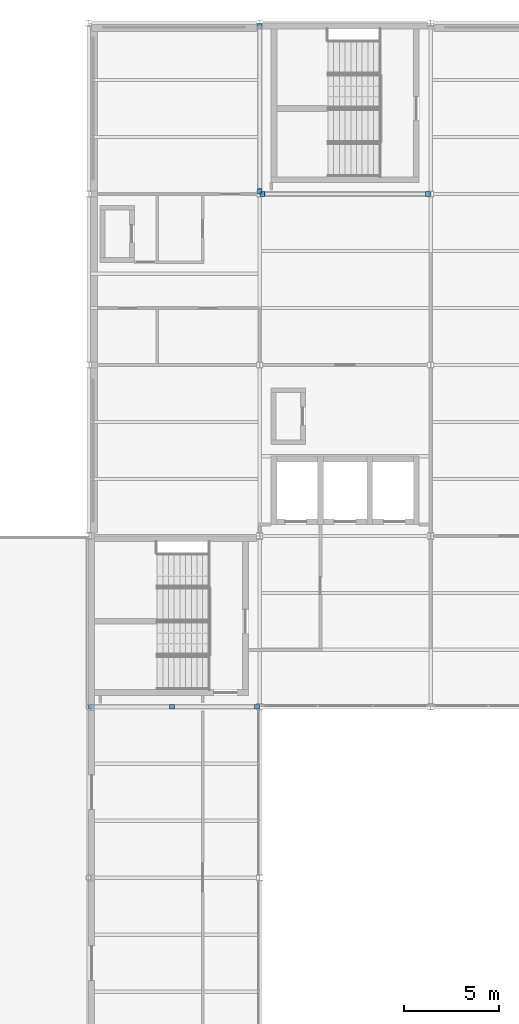
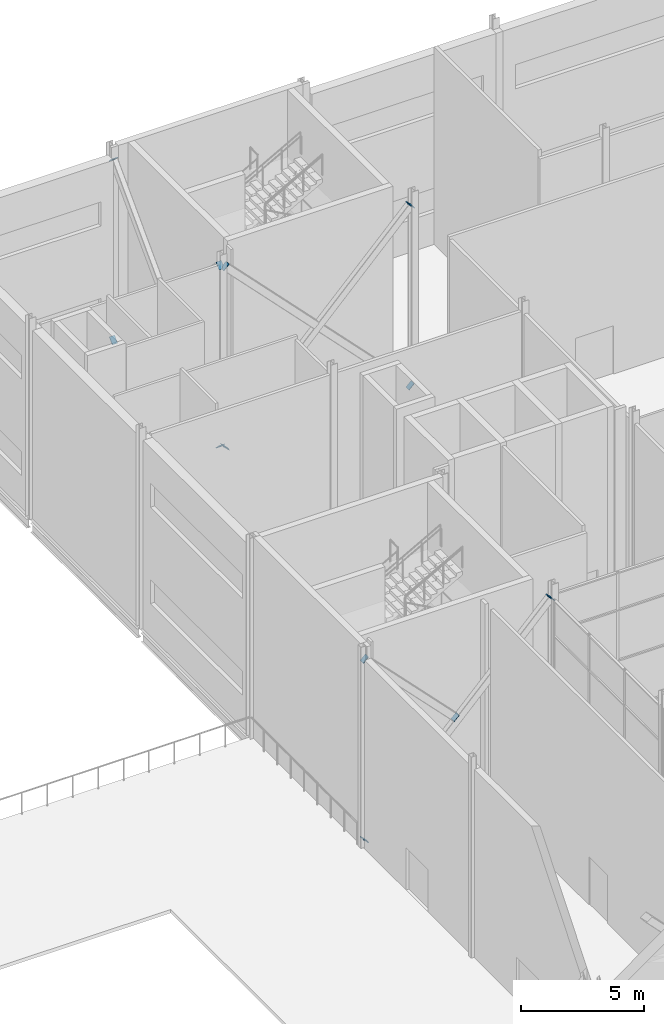
# One storey, part 102 of 111: 12 discrete accessories.
"""IFC4 building model written with IfcOpenShell, lengths in metres."""

import ifcopenshell
import ifcopenshell.guid

model = None  # the IFC model being written
_history = None  # IfcOwnerHistory: only IFC2X3 demands one
_inside = {}  # id of a spatial element -> (the spatial element, [elements in it])
_under = {}  # id of a project, library or spatial element -> (it, [spatial elements below it])
_declared = {}  # id of a project -> (the project, [libraries it declares])
_typed = {}  # id of a type object -> (the type object, [elements of that type])
_made_of = {}  # id of a material, layer set ... -> (it, [elements and type objects made of it])


def new_model(schema):
    """Start an empty IFC model of exactly this schema.

    Asked for "IFC4X3", IfcOpenShell would pick the latest addendum, in which some entities
    have other attributes; the version numbers below select the first issue.
    IFC2X3 requires an IfcOwnerHistory on every rooted entity: one is made here for all.
    """
    global model, _history
    if schema == "IFC4X3":
        model = ifcopenshell.file(schema_version=(4, 3, 0, 0))
    else:
        model = ifcopenshell.file(schema=schema)
    _inside.clear()
    _under.clear()
    _declared.clear()
    _typed.clear()
    _made_of.clear()
    _history = None
    if model.schema == "IFC2X3":
        org = make("IfcOrganization", Name="unknown")
        user = make(
            "IfcPersonAndOrganization",
            ThePerson=make("IfcPerson", FamilyName="unknown"),
            TheOrganization=org,
        )
        app = make(
            "IfcApplication",
            ApplicationDeveloper=org,
            Version="unknown",
            ApplicationFullName="unknown",
            ApplicationIdentifier="unknown",
        )
        _history = make(
            "IfcOwnerHistory",
            OwningUser=user,
            OwningApplication=app,
            ChangeAction="ADDED",
            CreationDate=0,
        )
    return model


def make(cls, **values):
    """One entity of the class cls with the attributes given. An attribute that is None is left unset."""
    return model.create_entity(
        cls, **{name: value for name, value in values.items() if value is not None}
    )


def rooted(cls, **values):
    """An entity with a GlobalId (a new one), such as an element, a storey or a relation."""
    return make(cls, GlobalId=ifcopenshell.guid.new(), OwnerHistory=_history, **values)


def si_unit(unit_type, name, prefix=None):
    """IfcSIUnit, for example si_unit("LENGTHUNIT", "METRE", prefix="MILLI")."""
    return make("IfcSIUnit", UnitType=unit_type, Prefix=prefix, Name=name)


def assignment(units):
    """IfcUnitAssignment: the units of a project."""
    return None if units is None else make("IfcUnitAssignment", Units=units)


def point(xyz):
    """IfcCartesianPoint."""
    return None if xyz is None else make("IfcCartesianPoint", Coordinates=xyz)


def direction(xyz):
    """IfcDirection."""
    return None if xyz is None else make("IfcDirection", DirectionRatios=xyz)


def frame(location, z_axis=None, x_axis=None):
    """IfcAxis2Placement3D, a coordinate frame: its origin and axes. An axis left out is left unset."""
    return make(
        "IfcAxis2Placement3D",
        Location=point(location),
        Axis=direction(z_axis),
        RefDirection=direction(x_axis),
    )


def origin():
    """The frame at (0, 0, 0) with its axes left unset."""
    return frame((0.0, 0.0, 0.0))


def place(relative_to, where):
    """IfcLocalPlacement: puts the frame where relative to a parent placement (None: the world)."""
    return make(
        "IfcLocalPlacement", PlacementRelTo=relative_to, RelativePlacement=where
    )


def context(
    kind, dimensions, precision=None, world=None, true_north=None, identifier=None
):
    """IfcGeometricRepresentationContext, for example the 3D "Model" context."""
    return make(
        "IfcGeometricRepresentationContext",
        ContextIdentifier=identifier,
        ContextType=kind,
        CoordinateSpaceDimension=dimensions,
        Precision=precision,
        WorldCoordinateSystem=world,
        TrueNorth=true_north,
    )


def subcontext(parent, identifier, kind, view, scale=None):
    """IfcGeometricRepresentationSubContext, for example "Body" below "Model"."""
    return make(
        "IfcGeometricRepresentationSubContext",
        ContextIdentifier=identifier,
        ContextType=kind,
        ParentContext=parent,
        TargetScale=scale,
        TargetView=view,
    )


def project(units=None, contexts=None):
    """IfcProject with its units and contexts."""
    return rooted(
        "IfcProject",
        Name="project",
        RepresentationContexts=contexts,
        UnitsInContext=assignment(units),
    )


def spatial(cls, under=None, at=None, **own):
    """A site, building, storey or space (cls), placed at a placement, below another one or the project."""
    s = rooted(cls, ObjectPlacement=at, **own)
    if under is not None:
        _under.setdefault(under.id(), (under, []))[1].append(s)
    return s


def polyline(points):
    """IfcPolyline through the points."""
    return make("IfcPolyline", Points=[point(p) for p in points])


def outline(outer, holes=None, kind="AREA"):
    """IfcArbitraryClosedProfileDef: a profile drawn as a closed curve; with holes, ...WithVoids."""
    if holes is None:
        return make("IfcArbitraryClosedProfileDef", ProfileType=kind, OuterCurve=outer)
    return make(
        "IfcArbitraryProfileDefWithVoids",
        ProfileType=kind,
        OuterCurve=outer,
        InnerCurves=holes,
    )


def extrude(swept, where, along, depth):
    """IfcExtrudedAreaSolid: the profile swept, set in the frame where, extruded along a direction by depth."""
    return make(
        "IfcExtrudedAreaSolid",
        SweptArea=swept,
        Position=where,
        ExtrudedDirection=direction(along),
        Depth=depth,
    )


def shape(context_of_items, identifier, shape_type, items):
    """IfcShapeRepresentation: the items that make up one representation, for example the "Body"."""
    return make(
        "IfcShapeRepresentation",
        ContextOfItems=context_of_items,
        RepresentationIdentifier=identifier,
        RepresentationType=shape_type,
        Items=items,
    )


def material(Name=None, Category=None):
    """IfcMaterial."""
    return make("IfcMaterial", Name=Name, Category=Category)


def layer(
    of_material, thickness, ventilated=None, Name=None, Category=None, Priority=None
):
    """IfcMaterialLayer: one layer of a wall or slab, of a material (None: an air gap)."""
    return make(
        "IfcMaterialLayer",
        Material=of_material,
        LayerThickness=thickness,
        IsVentilated=ventilated,
        Name=Name,
        Category=Category,
        Priority=Priority,
    )


def layer_set(layers, Name=None):
    """IfcMaterialLayerSet."""
    return make("IfcMaterialLayerSet", MaterialLayers=layers, LayerSetName=Name)


def made_of(thing, what):
    """Note that an element or type object is made of a material, layer set ...; save() writes the relation."""
    if what is not None:
        _made_of.setdefault(what.id(), (what, []))[1].append(thing)
    return thing


def type_object(cls, material=None, **own):
    """A type object (cls), such as IfcWallType, which elements share."""
    return made_of(rooted(cls, **own), material)


def element(
    cls,
    number,
    at=None,
    inside=None,
    cuts=None,
    type_object=None,
    material=None,
    context=None,
    identifier="Body",
    shape_type=None,
    held_by="IfcProductDefinitionShape",
    body=None,
    shapes=None,
    **own,
):
    """One element of the class cls, such as IfcWall. Its Tag is "e" and its number.

    at: its placement. inside: the storey or other place that contains it. cuts: it is an
    opening in that element (IfcRelVoidsElement). A single representation is given by context,
    identifier, shape_type and body (its items); several are given by shapes. held_by: the class
    of the entity that holds the representations. save() writes the other relations.
    """
    e = rooted(cls, Tag="e%d" % number, ObjectPlacement=at, **own)
    if body is not None:
        shapes = [shape(context, identifier, shape_type, body)]
    if shapes is not None:
        e.Representation = make(held_by, Representations=shapes)
    if inside is not None:
        _inside.setdefault(inside.id(), (inside, []))[1].append(e)
    if cuts is not None:
        rooted(
            "IfcRelVoidsElement", RelatingBuildingElement=cuts, RelatedOpeningElement=e
        )
    if type_object is not None:
        _typed.setdefault(type_object.id(), (type_object, []))[1].append(e)
    return made_of(e, material)


def aggregate(whole, parts):
    """IfcRelAggregates: a whole, such as a stair, and the parts it consists of."""
    return rooted("IfcRelAggregates", RelatingObject=whole, RelatedObjects=parts)


def save(model, path):
    """Write the relations noted so far, then the file.

    IfcRelAggregates (storeys below a building ...), IfcRelContainedInSpatialStructure (elements
    in a storey), IfcRelDefinesByType, IfcRelAssociatesMaterial and IfcRelDeclares: one each for
    every whole, place, type object, material and project.
    """
    for whole, parts in _under.values():
        aggregate(whole, parts)
    for where, things in _inside.values():
        rooted(
            "IfcRelContainedInSpatialStructure",
            RelatedElements=things,
            RelatingStructure=where,
        )
    for kind, things in _typed.values():
        rooted("IfcRelDefinesByType", RelatedObjects=things, RelatingType=kind)
    for what, things in _made_of.values():
        rooted("IfcRelAssociatesMaterial", RelatedObjects=things, RelatingMaterial=what)
    for by, libraries in _declared.values():
        rooted("IfcRelDeclares", RelatingContext=by, RelatedDefinitions=libraries)
    model.write(path)


model = new_model("IFC4")

# Units and contexts
model_context = context("Model", 3, precision=1e-05, world=origin(), true_north=direction((0.0, 1.0)))
body_context = subcontext(model_context, "Body", "Model", "MODEL_VIEW")
ifc_project = project(units=[si_unit("LENGTHUNIT", "METRE"), si_unit("AREAUNIT", "SQUARE_METRE"), si_unit("VOLUMEUNIT", "CUBIC_METRE"), si_unit("PLANEANGLEUNIT", "RADIAN"), si_unit("MASSUNIT", "GRAM", prefix="KILO")], contexts=[model_context])

# Site, building, storey
site_placement = place(None, origin())
site = spatial("IfcSite", under=ifc_project, at=site_placement, CompositionType="ELEMENT")
building_placement = place(site_placement, origin())
building = spatial("IfcBuilding", under=site, at=building_placement, Name="Shorebreak Coast Museum", CompositionType="ELEMENT")
storey_placement = place(building_placement, frame((0.0, 0.0, 16.0)))
storey = spatial("IfcBuildingStorey", under=building, at=storey_placement, Name="L03", CompositionType="ELEMENT", Elevation=16.0)

# Discrete accessories
ifc_material = material(Name="Steel Grade 300", Category="steel")
ifc_layer = layer(ifc_material, 0.02490234375)
ifc_layer_set = layer_set([ifc_layer], Name="Steel Grade 300")
discrete_accessory_type = type_object("IfcDiscreteAccessoryType", Name="End plate 250 x 350 x 25", PredefinedType="BRACKET", material=ifc_layer_set)
discrete_accessory_1_placement = place(storey_placement, frame((54.25048828125, 80.875, 0.177978515625), z_axis=(0.697277509525, 0.0, 0.716801279792), x_axis=(0.0, 1.0, 0.0)))
element("IfcDiscreteAccessory", 1, at=discrete_accessory_1_placement, inside=storey, type_object=discrete_accessory_type, Name="End plate X-brace bay 03 L03 diagonal 1 end 1", PredefinedType="BRACKET", context=body_context, shape_type="SweptSolid", body=[
    extrude(outline(polyline([(0.0, 0.0), (0.25, 0.0), (0.25, 0.3501340881715275), (0.0, 0.3501340881715275), (0.0, 0.0)])), origin(), (0.0, 0.0, -1.0), 0.02490234375),
])
discrete_accessory_2_placement = place(storey_placement, frame((62.98828125, 80.875, 9.1708984375), z_axis=(0.696918984095, 0.0, 0.717149865515), x_axis=(0.0, 1.0, 0.0)))
element("IfcDiscreteAccessory", 2, at=discrete_accessory_2_placement, inside=storey, type_object=discrete_accessory_type, Name="End plate X-brace bay 03 L03 diagonal 1 end 2", PredefinedType="BRACKET", context=body_context, shape_type="SweptSolid", body=[
    extrude(outline(polyline([(0.0, 0.0), (0.25, 0.0), (0.25, 0.3499638981592259), (0.0, 0.3499638981592259), (0.0, 0.0)])), origin(), (0.0, 0.0, -1.0), 0.02490234375),
])
discrete_accessory_3_placement = place(storey_placement, frame((58.251708984375, 81.125, 4.776611328125), z_axis=(-0.697277509525, 0.0, 0.716801279792), x_axis=(0.0, -1.0, 0.0)))
element("IfcDiscreteAccessory", 3, at=discrete_accessory_3_placement, inside=storey, type_object=discrete_accessory_type, Name="End plate X-brace bay 03 L03 diagonal 2 end 1", PredefinedType="BRACKET", context=body_context, shape_type="SweptSolid", body=[
    extrude(outline(polyline([(0.0, 0.0), (0.25, 0.0), (0.25, 0.3501340881715275), (0.0, 0.3501340881715275), (0.0, 0.0)])), origin(), (0.0, 0.0, -1.0), 0.02490234375),
])
discrete_accessory_4_placement = place(storey_placement, frame((53.982177734375, 81.125, 9.1708984375), z_axis=(-0.696918984095, 0.0, 0.717149865515), x_axis=(0.0, -1.0, 0.0)))
element("IfcDiscreteAccessory", 4, at=discrete_accessory_4_placement, inside=storey, type_object=discrete_accessory_type, Name="End plate X-brace bay 03 L03 diagonal 2 end 2", PredefinedType="BRACKET", context=body_context, shape_type="SweptSolid", body=[
    extrude(outline(polyline([(0.0, 0.0), (0.25, 0.0), (0.25, 0.3499638981592259), (0.0, 0.3499638981592259), (0.0, 0.0)])), origin(), (0.0, 0.0, -1.0), 0.02490234375),
])
discrete_accessory_5_placement = place(storey_placement, frame((63.2783203125, 107.875, 0.17822265625), z_axis=(0.695862655267, 0.0, 0.718174884694), x_axis=(0.0, 1.0, 0.0)))
element("IfcDiscreteAccessory", 5, at=discrete_accessory_5_placement, inside=storey, type_object=discrete_accessory_type, Name="End plate X-brace bay 09 L03 diagonal 1 end 1", PredefinedType="BRACKET", context=body_context, shape_type="SweptSolid", body=[
    extrude(outline(polyline([(0.0, 0.0), (0.25, 0.0), (0.25, 0.35014430204856983), (0.0, 0.35014430204856983), (0.0, 0.0)])), origin(), (0.0, 0.0, -1.0), 0.02490234375),
])
discrete_accessory_6_placement = place(storey_placement, frame((71.990478515625, 107.875, 9.171142578125), z_axis=(0.696211202838, 0.0, 0.717837001723), x_axis=(0.0, 1.0, 0.0)))
element("IfcDiscreteAccessory", 6, at=discrete_accessory_6_placement, inside=storey, type_object=discrete_accessory_type, Name="End plate X-brace bay 09 L03 diagonal 1 end 2", PredefinedType="BRACKET", context=body_context, shape_type="SweptSolid", body=[
    extrude(outline(polyline([(0.0, 0.0), (0.25, 0.0), (0.25, 0.349969007618514), (0.0, 0.349969007618514), (0.0, 0.0)])), origin(), (0.0, 0.0, -1.0), 0.02490234375),
])
discrete_accessory_7_placement = place(storey_placement, frame((71.7216796875, 108.125, 0.17822265625), z_axis=(-0.695862655267, 0.0, 0.718174884694), x_axis=(0.0, -1.0, 0.0)))
element("IfcDiscreteAccessory", 7, at=discrete_accessory_7_placement, inside=storey, type_object=discrete_accessory_type, Name="End plate X-brace bay 09 L03 diagonal 2 end 1", PredefinedType="BRACKET", context=body_context, shape_type="SweptSolid", body=[
    extrude(outline(polyline([(0.0, 0.0), (0.25, 0.0), (0.25, 0.35014430204856983), (0.0, 0.35014430204856983), (0.0, 0.0)])), origin(), (0.0, 0.0, -1.0), 0.02490234375),
])
discrete_accessory_8_placement = place(storey_placement, frame((63.009521484375, 108.125, 9.171142578125), z_axis=(-0.696211202838, 0.0, 0.717837001723), x_axis=(0.0, -1.0, 0.0)))
element("IfcDiscreteAccessory", 8, at=discrete_accessory_8_placement, inside=storey, type_object=discrete_accessory_type, Name="End plate X-brace bay 09 L03 diagonal 2 end 2", PredefinedType="BRACKET", context=body_context, shape_type="SweptSolid", body=[
    extrude(outline(polyline([(0.0, 0.0), (0.25, 0.0), (0.25, 0.349969007618514), (0.0, 0.349969007618514), (0.0, 0.0)])), origin(), (0.0, 0.0, -1.0), 0.02490234375),
])
discrete_accessory_9_placement = place(storey_placement, frame((63.125, 108.27978515625, 0.17822265625), z_axis=(0.0, 0.695502765476, 0.718523418696), x_axis=(-1.0, 0.0, 0.0)))
element("IfcDiscreteAccessory", 9, at=discrete_accessory_9_placement, inside=storey, type_object=discrete_accessory_type, Name="End plate X-brace bay 10 L03 diagonal 1 end 1", PredefinedType="BRACKET", context=body_context, shape_type="SweptSolid", body=[
    extrude(outline(polyline([(0.0, 0.0), (0.25, 0.0), (0.25, 0.34997445762620044), (0.0, 0.34997445762620044), (0.0, 0.0)])), origin(), (0.0, 0.0, -1.0), 0.02490234375),
])
discrete_accessory_10_placement = place(storey_placement, frame((63.125, 116.9794921875, 9.17138671875), z_axis=(0.0, 0.69514235147, 0.718872110456), x_axis=(-1.0, 0.0, 0.0)))
element("IfcDiscreteAccessory", 10, at=discrete_accessory_10_placement, inside=storey, type_object=discrete_accessory_type, Name="End plate X-brace bay 10 L03 diagonal 1 end 2", PredefinedType="BRACKET", context=body_context, shape_type="SweptSolid", body=[
    extrude(outline(polyline([(0.0, 0.0), (0.25, 0.0), (0.25, 0.3498047011315254), (0.0, 0.3498047011315254), (0.0, 0.0)])), origin(), (0.0, 0.0, -1.0), 0.02490234375),
])
discrete_accessory_11_placement = place(storey_placement, frame((62.875, 116.710693359375, 0.17822265625), z_axis=(0.0, -0.695502765476, 0.718523418696), x_axis=(1.0, 0.0, 0.0)))
element("IfcDiscreteAccessory", 11, at=discrete_accessory_11_placement, inside=storey, type_object=discrete_accessory_type, Name="End plate X-brace bay 10 L03 diagonal 2 end 1", PredefinedType="BRACKET", context=body_context, shape_type="SweptSolid", body=[
    extrude(outline(polyline([(0.0, 0.0), (0.25, 0.0), (0.25, 0.34997445762620044), (0.0, 0.34997445762620044), (0.0, 0.0)])), origin(), (0.0, 0.0, -1.0), 0.02490234375),
])
discrete_accessory_12_placement = place(storey_placement, frame((62.875, 108.0107421875, 9.17138671875), z_axis=(0.0, -0.69479367414, 0.719209114496), x_axis=(1.0, 0.0, 0.0)))
element("IfcDiscreteAccessory", 12, at=discrete_accessory_12_placement, inside=storey, type_object=discrete_accessory_type, Name="End plate X-brace bay 10 L03 diagonal 2 end 2", PredefinedType="BRACKET", context=body_context, shape_type="SweptSolid", body=[
    extrude(outline(polyline([(0.0, 0.0), (0.25, 0.0), (0.25, 0.34998024816637563), (0.0, 0.34998024816637563), (0.0, 0.0)])), origin(), (0.0, 0.0, -1.0), 0.02490234375),
])

save(model, "model.ifc")
